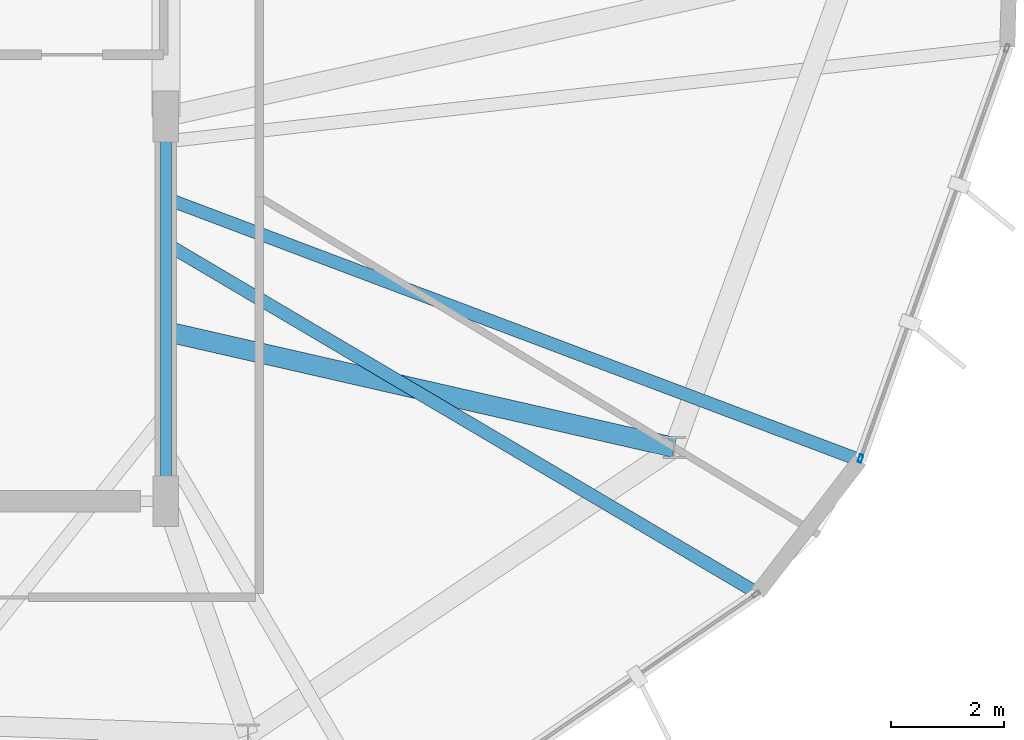
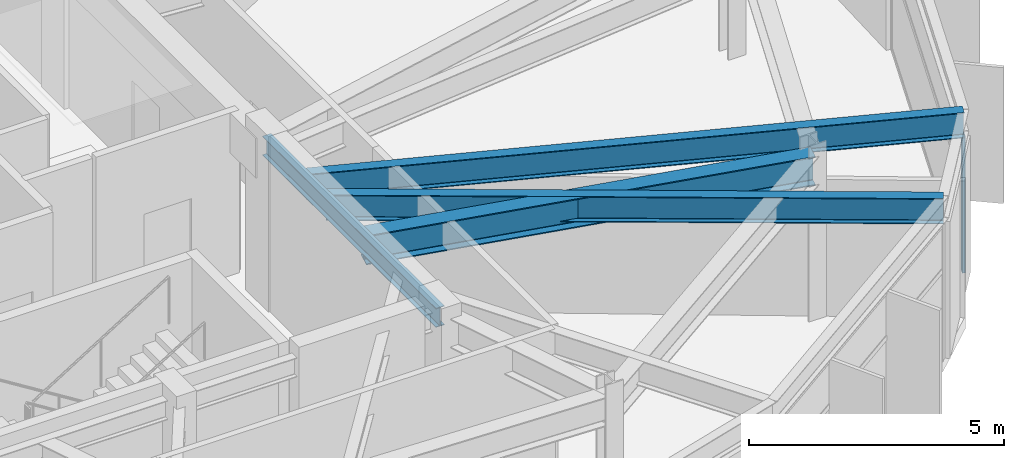
# One storey, part 7 of 20: 4 beams, 1 member, 1 element without a shape of its own.
"""IFC4 building model written with IfcOpenShell, lengths in metres."""

from ifc_helpers import new_model, si_unit, direction, frame, origin, origin_2d, place, context, subcontext, project, spatial, hollow_rectangle, i_section, extrude, material, layer, layer_set, material_profile, profile_set, type_object, element, aggregate, save


model = new_model("IFC4")

# Units and contexts
model_context = context("Model", 3, precision=1e-05, world=origin(), true_north=direction((0.0, 1.0)))
body_context = subcontext(model_context, "Body", "Model", "MODEL_VIEW")
ifc_project = project(units=[si_unit("LENGTHUNIT", "METRE"), si_unit("AREAUNIT", "SQUARE_METRE"), si_unit("VOLUMEUNIT", "CUBIC_METRE"), si_unit("PLANEANGLEUNIT", "RADIAN"), si_unit("MASSUNIT", "GRAM", prefix="KILO")], contexts=[model_context])

# Site, building, storey
site_placement = place(None, origin())
site = spatial("IfcSite", under=ifc_project, at=site_placement, CompositionType="ELEMENT")
building_placement = place(site_placement, origin())
building = spatial("IfcBuilding", under=site, at=building_placement, Name="Soratama Intermodal Tower", CompositionType="ELEMENT")
storey_placement = place(building_placement, frame((0.0, 0.0, 293.050048828125)))
storey = spatial("IfcBuildingStorey", under=building, at=storey_placement, Name="L74", CompositionType="ELEMENT", Elevation=293.050048828125)

# Beams
ifc_material_1 = material(Name="Structural steel ASTM A992 Grade 50", Category="steel")
ifc_material_profile_1 = material_profile(ifc_material_1, i_section(OverallWidth=0.19091796875, OverallDepth=0.4599609375, WebThickness=0.010009765625, FlangeThickness=0.01611328125, FilletRadius=0.010986328125, at=origin_2d()), Name="W18X55")
ifc_profile_set_1 = profile_set([ifc_material_profile_1], Name="Structural steel ASTM A992 Grade 50")
beam_type_1 = type_object("IfcBeamType", Name="BM-FLR-W18X55", PredefinedType="BEAM", material=ifc_profile_set_1)
beam_1_placement = place(storey_placement, frame((44.60009765625, 15.0, 3.6650390625), z_axis=(0.0, 1.0, 0.0), x_axis=(-1.0, 0.0, 0.0)))
element("IfcBeam", 1, at=beam_1_placement, inside=storey, type_object=beam_type_1, Name="BM-L74-CRING-03", PredefinedType="BEAM", context=body_context, shape_type="SweptSolid", body=[
    extrude(i_section(OverallWidth=0.19091796875, OverallDepth=0.4599609375, WebThickness=0.010009765625, FlangeThickness=0.01611328125, FilletRadius=0.010986328125, at=origin_2d()), origin(), (0.0, 0.0, 1.0), 6.800048828125),
])
ifc_material_2 = material(Name="Structural steel ASTM A992 Grade 50", Category="steel")
ifc_material_profile_2 = material_profile(ifc_material_2, i_section(OverallWidth=0.35498046875, OverallDepth=0.695068359375, WebThickness=0.015380859375, FlangeThickness=0.02490234375, FilletRadius=0.01611328125, at=origin_2d()), Name="W27X146")
ifc_profile_set_2 = profile_set([ifc_material_profile_2], Name="Structural steel ASTM A992 Grade 50")
beam_type_2 = type_object("IfcBeamType", Name="BM-RING-W27X146", PredefinedType="BEAM", material=ifc_profile_set_2)
beam_2_placement = place(storey_placement, frame((44.60009765625, 18.0, 3.54736328125), z_axis=(0.974938851068, -0.222473002131, 0.0), x_axis=(0.222473002131, 0.974938851068, 0.0)))
element("IfcBeam", 2, at=beam_2_placement, inside=storey, type_object=beam_type_2, Name="BM-L74-RAD-09", PredefinedType="BEAM", context=body_context, shape_type="SweptSolid", body=[
    extrude(i_section(OverallWidth=0.35498046875, OverallDepth=0.695068359375, WebThickness=0.015380859375, FlangeThickness=0.02490234375, FilletRadius=0.01611328125, at=origin_2d()), origin(), (0.0, 0.0, 1.0), 9.21484375),
])
ifc_material_3 = material(Name="Structural steel ASTM A992 Grade 50", Category="steel")
ifc_material_profile_3 = material_profile(ifc_material_3, i_section(OverallWidth=0.22900390625, OverallDepth=0.612060546875, WebThickness=0.011962890625, FlangeThickness=0.01953125, FilletRadius=0.012939453125, at=origin_2d()), Name="W24X84")
ifc_profile_set_3 = profile_set([ifc_material_profile_3], Name="Structural steel ASTM A992 Grade 50")
beam_type_3 = type_object("IfcBeamType", Name="BM-TIE-W24X84", PredefinedType="BEAM", material=ifc_profile_set_3)
beam_3_placement = place(storey_placement, frame((44.634033203125, 19.531005859375, 3.5888671875), z_axis=(0.860985162633, -0.508630071589, 0.0), x_axis=(0.508630071589, 0.860985162633, 0.0)))
element("IfcBeam", 3, at=beam_3_placement, inside=storey, type_object=beam_type_3, Name="BM-L74-TIE1-07", PredefinedType="BEAM", context=body_context, shape_type="SweptSolid", body=[
    extrude(i_section(OverallWidth=0.22900390625, OverallDepth=0.612060546875, WebThickness=0.011962890625, FlangeThickness=0.01953125, FilletRadius=0.012939453125, at=origin_2d()), origin(), (0.0, 0.0, 1.0), 12.10107421875),
])
beam_4_placement = place(storey_placement, frame((44.636962890625, 20.337890625, 3.5888671875), z_axis=(0.935656433607, -0.352912224568, 0.0), x_axis=(0.352912224568, 0.935656433607, 0.0)))
element("IfcBeam", 4, at=beam_4_placement, inside=storey, type_object=beam_type_3, Name="BM-L74-TIE0-08", PredefinedType="BEAM", context=body_context, shape_type="SweptSolid", body=[
    extrude(i_section(OverallWidth=0.22900390625, OverallDepth=0.612060546875, WebThickness=0.011962890625, FlangeThickness=0.01953125, FilletRadius=0.012939453125, at=origin_2d()), origin(), (0.0, 0.0, 1.0), 13.06787109375),
])

# Curtain wall, member
ifc_material_4 = material(Name="Double-glazed aluminium curtain wall", Category="aluminium")
ifc_layer = layer(ifc_material_4, 0.159912109375)
ifc_layer_set = layer_set([ifc_layer], Name="Double-glazed aluminium curtain wall")
curtain_wall_type = type_object("IfcCurtainWallType", Name="CW-SYS-6", PredefinedType="NOTDEFINED", material=ifc_layer_set)
curtain_wall_placement = place(storey_placement, origin())
curtain_wall = element("IfcCurtainWall", 5, at=curtain_wall_placement, inside=storey, type_object=curtain_wall_type, Name="L74 Faceted Curtain Wall F08", PredefinedType="NOTDEFINED")
ifc_material_5 = material(Name="Anodised aluminium AA 6063-T6", Category="aluminium")
ifc_material_profile_4 = material_profile(ifc_material_5, hollow_rectangle(XDim=0.06494140625, YDim=0.139892578125, WallThickness=0.0048828125, InnerFilletRadius=0.0048828125, OuterFilletRadius=0.010009765625, at=origin_2d()), Name="CWM140X65X5")
ifc_profile_set_4 = profile_set([ifc_material_profile_4], Name="Anodised aluminium AA 6063-T6")
member_type = type_object("IfcMemberType", Name="MT-CWM-6", PredefinedType="MULLION", material=ifc_profile_set_4)
member_placement = place(storey_placement, frame((56.874267578125, 15.75390625, 0.0), z_axis=(0.0, 0.0, 1.0), x_axis=(-0.941938883362, 0.335784365344, 0.0)))
member = element("IfcMember", 6, at=member_placement, type_object=member_type, Name="CW-6 mullion 1", PredefinedType="MULLION", context=body_context, shape_type="SweptSolid", body=[
    extrude(hollow_rectangle(XDim=0.06494140625, YDim=0.139892578125, WallThickness=0.0048828125, InnerFilletRadius=0.0048828125, OuterFilletRadius=0.010009765625, at=origin_2d()), origin(), (0.0, 0.0, 1.0), 3.27392578125),
])
aggregate(curtain_wall, [member])

save(model, "model.ifc")
